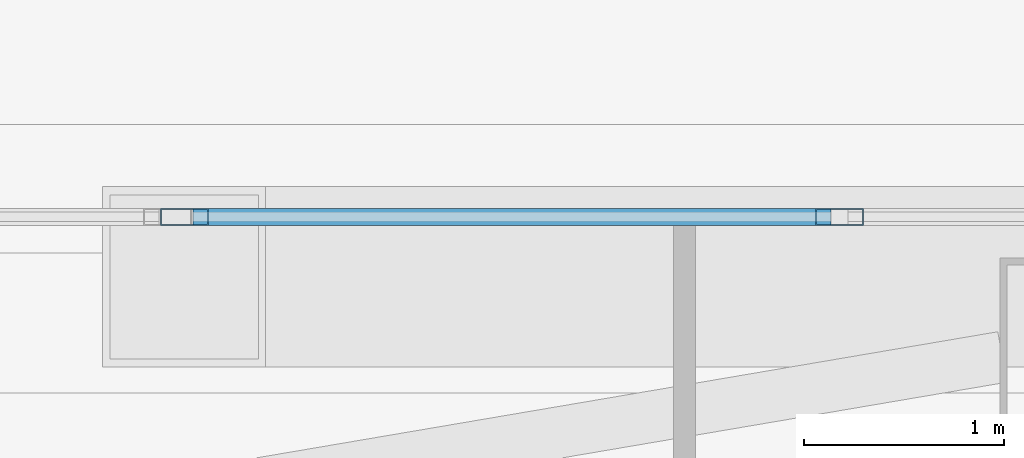
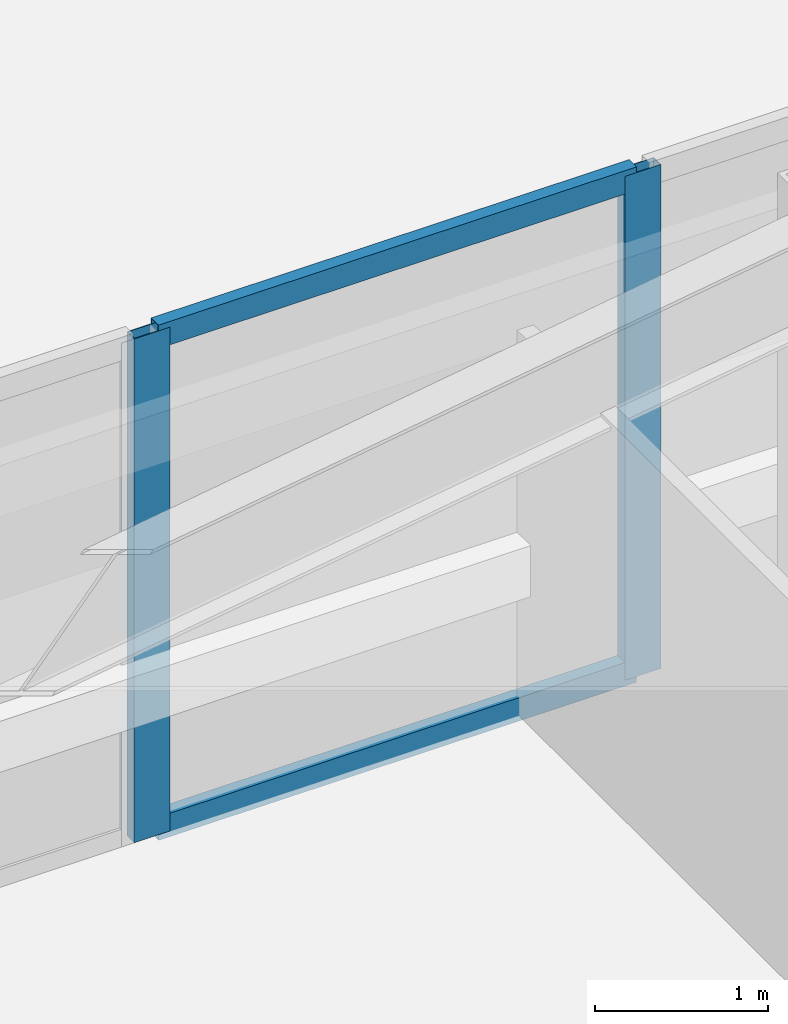
# One storey, part 18 of 83: 4 members, 1 element without a shape of its own.
"""IFC4 building model written with IfcOpenShell, lengths in metres."""

from ifc_helpers import new_model, si_unit, direction, frame, origin, origin_2d, place, context, subcontext, project, spatial, hollow_rectangle, extrude, material, material_profile, profile_set, type_object, element, aggregate, save


model = new_model("IFC4")

# Units and contexts
model_context = context("Model", 3, precision=1e-05, world=origin(), true_north=direction((0.0, 1.0)))
body_context = subcontext(model_context, "Body", "Model", "MODEL_VIEW")
ifc_project = project(units=[si_unit("LENGTHUNIT", "METRE"), si_unit("AREAUNIT", "SQUARE_METRE"), si_unit("VOLUMEUNIT", "CUBIC_METRE"), si_unit("PLANEANGLEUNIT", "RADIAN"), si_unit("MASSUNIT", "GRAM", prefix="KILO")], contexts=[model_context])

# Site, building, storey
site_placement = place(None, origin())
site = spatial("IfcSite", under=ifc_project, at=site_placement, CompositionType="ELEMENT")
building_placement = place(site_placement, origin())
building = spatial("IfcBuilding", under=site, at=building_placement, Name="Tashvorn Skyway Center", CompositionType="ELEMENT")
storey_placement = place(building_placement, frame((0.0, 0.0, 24.60009765625)))
storey = spatial("IfcBuildingStorey", under=building, at=storey_placement, Name="L05", CompositionType="ELEMENT", Elevation=24.60009765625)

# Curtain wall, members
ifc_material = material(Name="Thermally broken bronze-anodized aluminium 6063-T6", Category="aluminium")
curtain_wall_type = type_object("IfcCurtainWallType", Name="CW-CW-Z1", PredefinedType="NOTDEFINED", material=ifc_material)
curtain_wall_placement = place(storey_placement, origin())
curtain_wall = element("IfcCurtainWall", 1, at=curtain_wall_placement, inside=storey, type_object=curtain_wall_type, Name="Tower 1 L05 North Unitised Curtain Wall Glazing Group 2", PredefinedType="NOTDEFINED")
ifc_material_profile_1 = material_profile(ifc_material, hollow_rectangle(XDim=0.0849609375, YDim=0.239990234375, WallThickness=0.0048828125, at=origin_2d()), Name="ALU-MULL-85x240")
ifc_profile_set_1 = profile_set([ifc_material_profile_1], Name="Thermally broken bronze-anodized aluminium 6063-T6")
member_type_1 = type_object("IfcMemberType", Name="CWM-CW-Z1", PredefinedType="MULLION", material=ifc_profile_set_1)
member_1_placement = place(storey_placement, frame((32.1025390625, 54.8798828125, 0.0), z_axis=(0.0, 0.0, 1.0), x_axis=(0.0, 1.0, 0.0)))
member_1 = element("IfcMember", 2, at=member_1_placement, type_object=member_type_1, Name="CW-Z1 mullion 1", PredefinedType="MULLION", context=body_context, shape_type="SweptSolid", body=[
    extrude(hollow_rectangle(XDim=0.0849609375, YDim=0.239990234375, WallThickness=0.0048828125, at=origin_2d()), origin(), (0.0, 0.0, 1.0), 3.5498046875),
])
member_2_placement = place(storey_placement, frame((35.373291015625, 54.8798828125, 0.0), z_axis=(0.0, 0.0, 1.0), x_axis=(0.0, 1.0, 0.0)))
member_2 = element("IfcMember", 3, at=member_2_placement, type_object=member_type_1, Name="CW-Z1 mullion 2", PredefinedType="MULLION", context=body_context, shape_type="SweptSolid", body=[
    extrude(hollow_rectangle(XDim=0.0849609375, YDim=0.239990234375, WallThickness=0.0048828125, at=origin_2d()), origin(), (0.0, 0.0, 1.0), 3.5498046875),
])
ifc_material_profile_2 = material_profile(ifc_material, hollow_rectangle(XDim=0.0849609375, YDim=0.1650390625, WallThickness=0.0048828125, at=origin_2d()), Name="ALU-TRAN-85x165")
ifc_profile_set_2 = profile_set([ifc_material_profile_2], Name="Thermally broken bronze-anodized aluminium 6063-T6")
member_type_2 = type_object("IfcMemberType", Name="CWT-CW-Z1", PredefinedType="USERDEFINED", material=ifc_profile_set_2)
member_3_placement = place(storey_placement, frame((32.14501953125, 54.8798828125, 0.04248046875), z_axis=(1.0, 0.0, 0.0), x_axis=(0.0, 1.0, 0.0)))
member_3 = element("IfcMember", 4, at=member_3_placement, type_object=member_type_2, Name="CW-Z1 transom 1.1", ObjectType="TRANSOM", PredefinedType="USERDEFINED", context=body_context, shape_type="SweptSolid", body=[
    extrude(hollow_rectangle(XDim=0.0849609375, YDim=0.1650390625, WallThickness=0.0048828125, at=origin_2d()), origin(), (0.0, 0.0, 1.0), 3.185791015625),
])
member_4_placement = place(storey_placement, frame((32.14501953125, 54.8798828125, 3.50732421875), z_axis=(1.0, 0.0, 0.0), x_axis=(0.0, 1.0, 0.0)))
member_4 = element("IfcMember", 5, at=member_4_placement, type_object=member_type_2, Name="CW-Z1 transom 1.2", ObjectType="TRANSOM", PredefinedType="USERDEFINED", context=body_context, shape_type="SweptSolid", body=[
    extrude(hollow_rectangle(XDim=0.0849609375, YDim=0.1650390625, WallThickness=0.0048828125, at=origin_2d()), origin(), (0.0, 0.0, 1.0), 3.185791015625),
])
aggregate(curtain_wall, [member_1, member_2, member_3, member_4])

save(model, "model.ifc")
